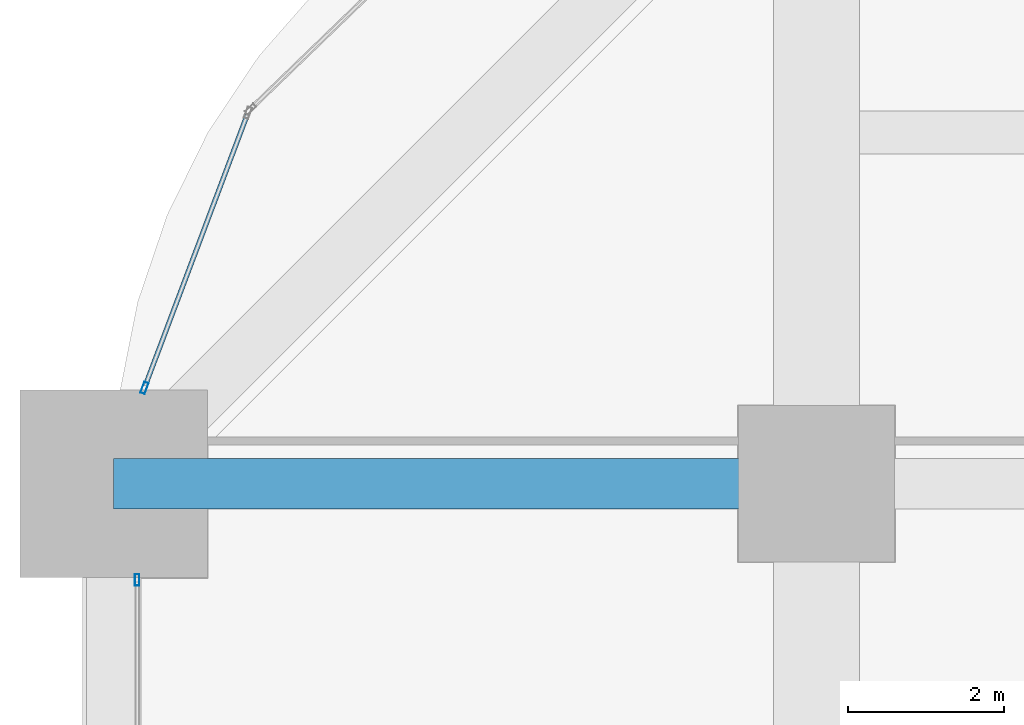
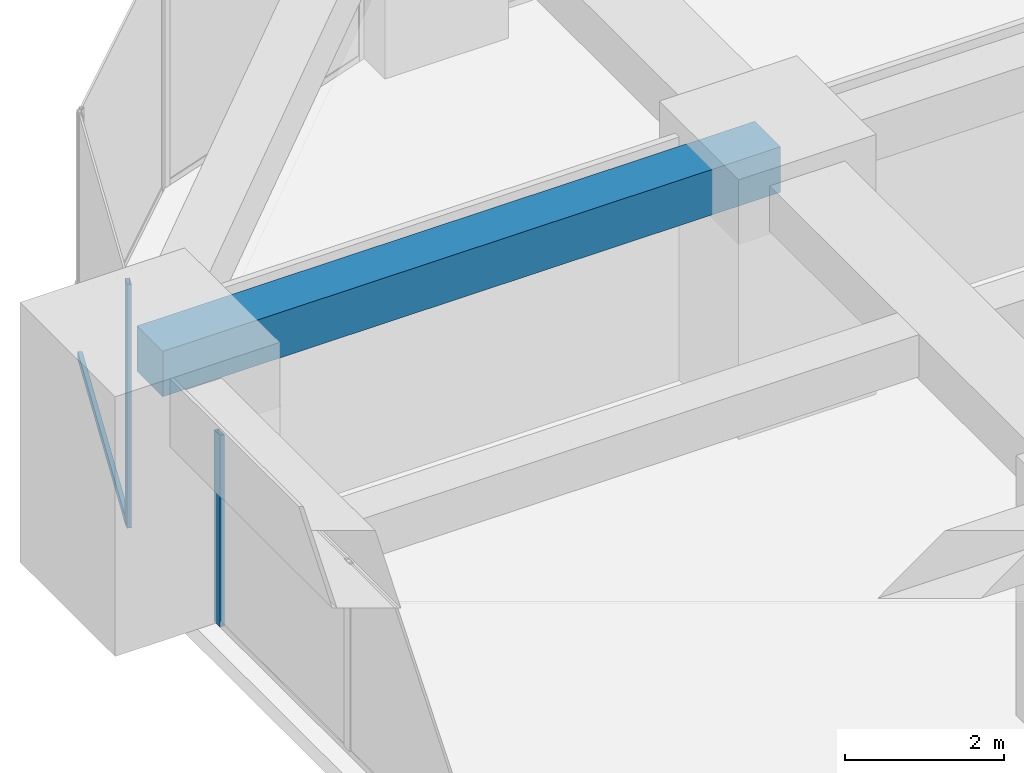
# One storey, part 24 of 39: 3 members, 1 beam, 2 elements without a shape of their own.
"""IFC4 building model written with IfcOpenShell, lengths in metres."""

from ifc_helpers import new_model, si_unit, direction, frame, origin, origin_2d, place, context, subcontext, project, spatial, rectangle, hollow_rectangle, extrude, material, material_profile, profile_set, type_object, element, aggregate, save


model = new_model("IFC4")

# Units and contexts
model_context = context("Model", 3, precision=1e-05, world=origin(), true_north=direction((0.0, 1.0)))
body_context = subcontext(model_context, "Body", "Model", "MODEL_VIEW")
ifc_project = project(units=[si_unit("LENGTHUNIT", "METRE"), si_unit("AREAUNIT", "SQUARE_METRE"), si_unit("VOLUMEUNIT", "CUBIC_METRE"), si_unit("PLANEANGLEUNIT", "RADIAN"), si_unit("MASSUNIT", "GRAM", prefix="KILO")], contexts=[model_context])

# Site, building, storey
site_placement = place(None, origin())
site = spatial("IfcSite", under=ifc_project, at=site_placement, CompositionType="ELEMENT")
building_placement = place(site_placement, origin())
building = spatial("IfcBuilding", under=site, at=building_placement, Name="Zorevar Civic Tower", CompositionType="ELEMENT")
storey_placement = place(building_placement, frame((0.0, 0.0, 121.0)))
storey = spatial("IfcBuildingStorey", under=building, at=storey_placement, Name="L29", CompositionType="ELEMENT", Elevation=121.0)

# Beam
ifc_material_1 = material(Name="Concrete C50/60", Category="concrete")
ifc_material_profile_1 = material_profile(ifc_material_1, rectangle(XDim=0.64990234375, YDim=0.699951171875, at=origin_2d()), Name="RC 650x700")
ifc_profile_set_1 = profile_set([ifc_material_profile_1], Name="Concrete C50/60")
beam_type = type_object("IfcBeamType", Name="Beam RC 650x700", PredefinedType="BEAM", material=ifc_profile_set_1)
beam_placement = place(storey_placement, frame((0.0, 36.0, 3.39990234375), z_axis=(1.0, 0.0, 0.0), x_axis=(0.0, 1.0, 0.0)))
element("IfcBeam", 1, at=beam_placement, inside=storey, type_object=beam_type, Name="Girder L30", PredefinedType="BEAM", context=body_context, shape_type="SweptSolid", body=[
    extrude(rectangle(XDim=0.64990234375, YDim=0.699951171875, at=origin_2d()), origin(), (0.0, 0.0, 1.0), 9.0),
])

# Curtain wall, member
ifc_material_2 = material(Name="Dark grey solar-control glass in black aluminium frame", Category="aluminium")
curtain_wall_type = type_object("IfcCurtainWallType", Name="Curtain wall CW3 mid zone", PredefinedType="NOTDEFINED", material=ifc_material_2)
curtain_wall_1_placement = place(storey_placement, origin())
curtain_wall_1 = element("IfcCurtainWall", 2, at=curtain_wall_1_placement, inside=storey, type_object=curtain_wall_type, Name="CW3 L29", PredefinedType="NOTDEFINED")
ifc_material_3 = material(Name="Aluminium, black anodised", Category="aluminium")
ifc_material_profile_2 = material_profile(ifc_material_3, hollow_rectangle(XDim=0.06005859375, YDim=0.14990234375, WallThickness=0.00390625, at=origin_2d()), Name="AL 150x60x4")
ifc_profile_set_2 = profile_set([ifc_material_profile_2], Name="Aluminium, black anodised")
member_type_1 = type_object("IfcMemberType", Name="CW3 mullion AL 150x60x4", PredefinedType="MULLION", material=ifc_profile_set_2)
member_1_placement = place(storey_placement, frame((0.300048828125, 34.77001953125, 0.0), z_axis=(0.0, 0.0, 1.0), x_axis=(-1.0, 0.0, 0.0)))
member_1 = element("IfcMember", 3, at=member_1_placement, type_object=member_type_1, Name="CW3 mullion 3", PredefinedType="MULLION", context=body_context, shape_type="SweptSolid", body=[
    extrude(hollow_rectangle(XDim=0.06005859375, YDim=0.14990234375, WallThickness=0.00390625, at=origin_2d()), origin(), (0.0, 0.0, 1.0), 2.949951171875),
])
aggregate(curtain_wall_1, [member_1])

# Curtain wall, members
curtain_wall_2_placement = place(storey_placement, origin())
curtain_wall_2 = element("IfcCurtainWall", 4, at=curtain_wall_2_placement, inside=storey, type_object=curtain_wall_type, Name="CW3 L29", PredefinedType="NOTDEFINED")
member_2_placement = place(storey_placement, frame((0.393798828125, 37.22802734375, 0.0), z_axis=(0.0, 0.0, 1.0), x_axis=(0.935950528564, -0.352131520999, 0.0)))
member_2 = element("IfcMember", 5, at=member_2_placement, type_object=member_type_1, Name="CW3 mullion 2", PredefinedType="MULLION", context=body_context, shape_type="SweptSolid", body=[
    extrude(hollow_rectangle(XDim=0.06005859375, YDim=0.14990234375, WallThickness=0.00390625, at=origin_2d()), origin(), (0.0, 0.0, 1.0), 3.75),
])
ifc_material_4 = material(Name="Aluminium, black anodised", Category="aluminium")
ifc_material_profile_3 = material_profile(ifc_material_4, hollow_rectangle(XDim=0.06005859375, YDim=0.1201171875, WallThickness=0.0029296875, at=origin_2d()), Name="AL 120x60x3")
ifc_profile_set_3 = profile_set([ifc_material_profile_3], Name="Aluminium, black anodised")
member_type_2 = type_object("IfcMemberType", Name="CW3 transom AL 120x60x3", PredefinedType="USERDEFINED", material=ifc_profile_set_3)
member_3_placement = place(storey_placement, frame((1.7080078125, 40.72119140625, 0.030029296875), z_axis=(-0.352142207579, -0.935946507895, 0.0), x_axis=(0.935946507895, -0.352142207579, 0.0)))
member_3 = element("IfcMember", 6, at=member_3_placement, type_object=member_type_2, Name="CW3 sill transom", ObjectType="TRANSOM", PredefinedType="USERDEFINED", context=body_context, shape_type="SweptSolid", body=[
    extrude(hollow_rectangle(XDim=0.06005859375, YDim=0.1201171875, WallThickness=0.0029296875, at=origin_2d()), origin(), (0.0, 0.0, 1.0), 3.7021484375),
])
aggregate(curtain_wall_2, [member_2, member_3])

save(model, "model.ifc")
